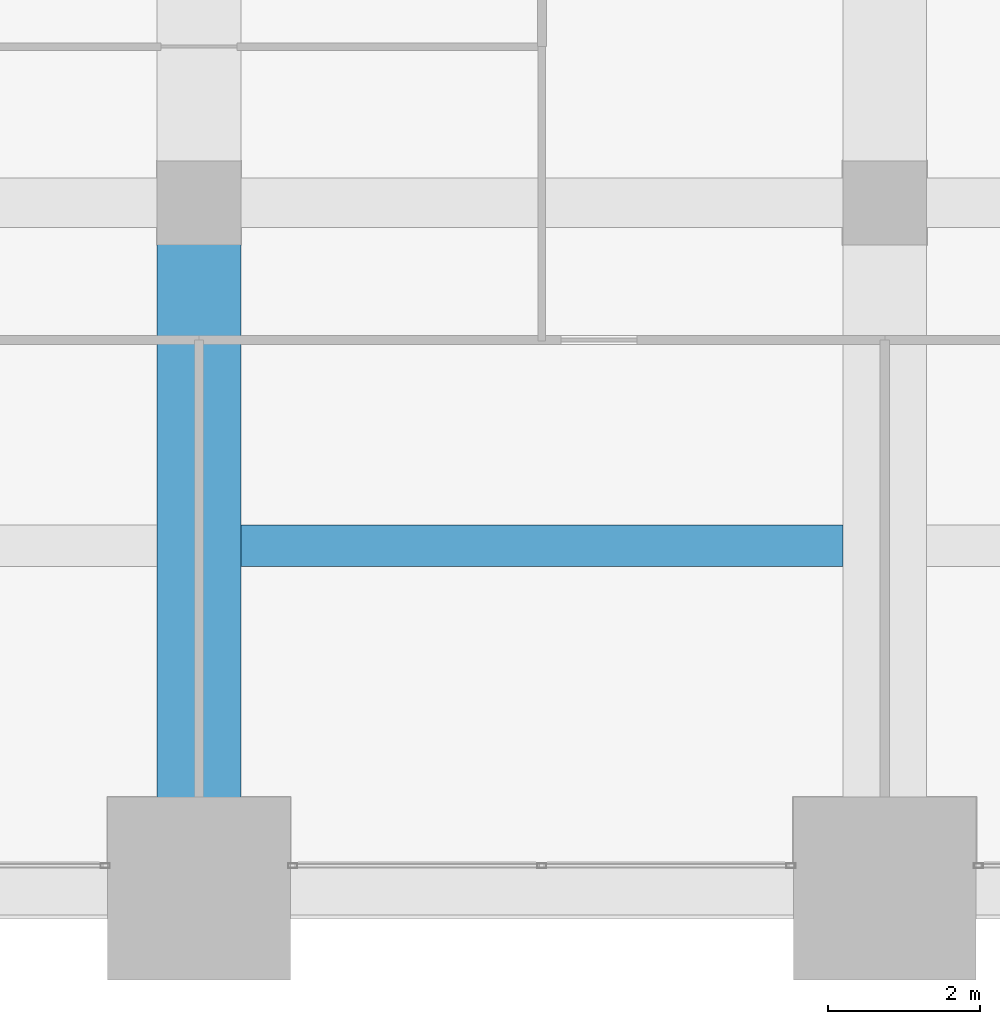
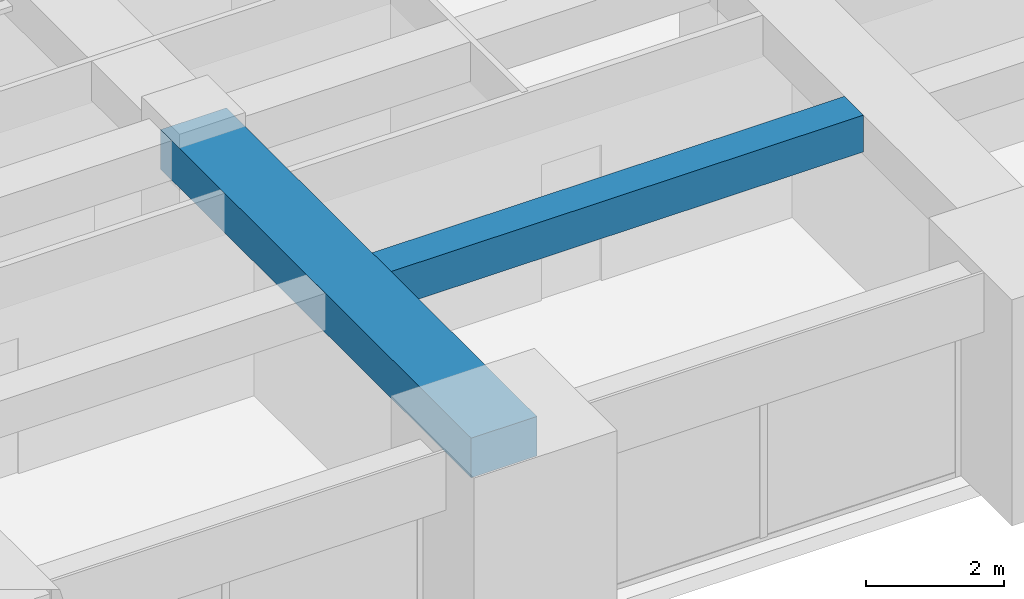
# One storey, part 10 of 45: 2 beams.
"""IFC4 building model written with IfcOpenShell, lengths in metres."""

import ifcopenshell
import ifcopenshell.guid

model = None  # the IFC model being written
_history = None  # IfcOwnerHistory: only IFC2X3 demands one
_inside = {}  # id of a spatial element -> (the spatial element, [elements in it])
_under = {}  # id of a project, library or spatial element -> (it, [spatial elements below it])
_declared = {}  # id of a project -> (the project, [libraries it declares])
_typed = {}  # id of a type object -> (the type object, [elements of that type])
_made_of = {}  # id of a material, layer set ... -> (it, [elements and type objects made of it])


def new_model(schema):
    """Start an empty IFC model of exactly this schema.

    Asked for "IFC4X3", IfcOpenShell would pick the latest addendum, in which some entities
    have other attributes; the version numbers below select the first issue.
    IFC2X3 requires an IfcOwnerHistory on every rooted entity: one is made here for all.
    """
    global model, _history
    if schema == "IFC4X3":
        model = ifcopenshell.file(schema_version=(4, 3, 0, 0))
    else:
        model = ifcopenshell.file(schema=schema)
    _inside.clear()
    _under.clear()
    _declared.clear()
    _typed.clear()
    _made_of.clear()
    _history = None
    if model.schema == "IFC2X3":
        org = make("IfcOrganization", Name="unknown")
        user = make(
            "IfcPersonAndOrganization",
            ThePerson=make("IfcPerson", FamilyName="unknown"),
            TheOrganization=org,
        )
        app = make(
            "IfcApplication",
            ApplicationDeveloper=org,
            Version="unknown",
            ApplicationFullName="unknown",
            ApplicationIdentifier="unknown",
        )
        _history = make(
            "IfcOwnerHistory",
            OwningUser=user,
            OwningApplication=app,
            ChangeAction="ADDED",
            CreationDate=0,
        )
    return model


def make(cls, **values):
    """One entity of the class cls with the attributes given. An attribute that is None is left unset."""
    return model.create_entity(
        cls, **{name: value for name, value in values.items() if value is not None}
    )


def rooted(cls, **values):
    """An entity with a GlobalId (a new one), such as an element, a storey or a relation."""
    return make(cls, GlobalId=ifcopenshell.guid.new(), OwnerHistory=_history, **values)


def si_unit(unit_type, name, prefix=None):
    """IfcSIUnit, for example si_unit("LENGTHUNIT", "METRE", prefix="MILLI")."""
    return make("IfcSIUnit", UnitType=unit_type, Prefix=prefix, Name=name)


def assignment(units):
    """IfcUnitAssignment: the units of a project."""
    return None if units is None else make("IfcUnitAssignment", Units=units)


def point(xyz):
    """IfcCartesianPoint."""
    return None if xyz is None else make("IfcCartesianPoint", Coordinates=xyz)


def direction(xyz):
    """IfcDirection."""
    return None if xyz is None else make("IfcDirection", DirectionRatios=xyz)


def frame(location, z_axis=None, x_axis=None):
    """IfcAxis2Placement3D, a coordinate frame: its origin and axes. An axis left out is left unset."""
    return make(
        "IfcAxis2Placement3D",
        Location=point(location),
        Axis=direction(z_axis),
        RefDirection=direction(x_axis),
    )


def frame_2d(location, x_axis=None):
    """IfcAxis2Placement2D, a coordinate frame in the plane: its origin and x axis."""
    return make(
        "IfcAxis2Placement2D", Location=point(location), RefDirection=direction(x_axis)
    )


def origin():
    """The frame at (0, 0, 0) with its axes left unset."""
    return frame((0.0, 0.0, 0.0))


def origin_2d():
    """The frame at (0, 0) in the plane with its x axis left unset."""
    return frame_2d((0.0, 0.0))


def place(relative_to, where):
    """IfcLocalPlacement: puts the frame where relative to a parent placement (None: the world)."""
    return make(
        "IfcLocalPlacement", PlacementRelTo=relative_to, RelativePlacement=where
    )


def context(
    kind, dimensions, precision=None, world=None, true_north=None, identifier=None
):
    """IfcGeometricRepresentationContext, for example the 3D "Model" context."""
    return make(
        "IfcGeometricRepresentationContext",
        ContextIdentifier=identifier,
        ContextType=kind,
        CoordinateSpaceDimension=dimensions,
        Precision=precision,
        WorldCoordinateSystem=world,
        TrueNorth=true_north,
    )


def subcontext(parent, identifier, kind, view, scale=None):
    """IfcGeometricRepresentationSubContext, for example "Body" below "Model"."""
    return make(
        "IfcGeometricRepresentationSubContext",
        ContextIdentifier=identifier,
        ContextType=kind,
        ParentContext=parent,
        TargetScale=scale,
        TargetView=view,
    )


def project(units=None, contexts=None):
    """IfcProject with its units and contexts."""
    return rooted(
        "IfcProject",
        Name="project",
        RepresentationContexts=contexts,
        UnitsInContext=assignment(units),
    )


def spatial(cls, under=None, at=None, **own):
    """A site, building, storey or space (cls), placed at a placement, below another one or the project."""
    s = rooted(cls, ObjectPlacement=at, **own)
    if under is not None:
        _under.setdefault(under.id(), (under, []))[1].append(s)
    return s


def profile(cls, at=None, kind="AREA", **sizes):
    """A parametric profile (cls). Its sizes go by their IFC names, for example OverallWidth=200.0."""
    return make(cls, ProfileType=kind, Position=at, **sizes)


def rectangle(**sizes):
    """IfcRectangleProfileDef."""
    return profile("IfcRectangleProfileDef", **sizes)


def extrude(swept, where, along, depth):
    """IfcExtrudedAreaSolid: the profile swept, set in the frame where, extruded along a direction by depth."""
    return make(
        "IfcExtrudedAreaSolid",
        SweptArea=swept,
        Position=where,
        ExtrudedDirection=direction(along),
        Depth=depth,
    )


def shape(context_of_items, identifier, shape_type, items):
    """IfcShapeRepresentation: the items that make up one representation, for example the "Body"."""
    return make(
        "IfcShapeRepresentation",
        ContextOfItems=context_of_items,
        RepresentationIdentifier=identifier,
        RepresentationType=shape_type,
        Items=items,
    )


def material(Name=None, Category=None):
    """IfcMaterial."""
    return make("IfcMaterial", Name=Name, Category=Category)


def material_profile(
    of_material, cross_section, Name=None, Category=None, Priority=None
):
    """IfcMaterialProfile: a cross section and its material."""
    return make(
        "IfcMaterialProfile",
        Name=Name,
        Material=of_material,
        Profile=cross_section,
        Priority=Priority,
        Category=Category,
    )


def profile_set(profiles, Name=None, composite=None):
    """IfcMaterialProfileSet."""
    return make(
        "IfcMaterialProfileSet",
        Name=Name,
        MaterialProfiles=profiles,
        CompositeProfile=composite,
    )


def made_of(thing, what):
    """Note that an element or type object is made of a material, layer set ...; save() writes the relation."""
    if what is not None:
        _made_of.setdefault(what.id(), (what, []))[1].append(thing)
    return thing


def type_object(cls, material=None, **own):
    """A type object (cls), such as IfcWallType, which elements share."""
    return made_of(rooted(cls, **own), material)


def element(
    cls,
    number,
    at=None,
    inside=None,
    cuts=None,
    type_object=None,
    material=None,
    context=None,
    identifier="Body",
    shape_type=None,
    held_by="IfcProductDefinitionShape",
    body=None,
    shapes=None,
    **own,
):
    """One element of the class cls, such as IfcWall. Its Tag is "e" and its number.

    at: its placement. inside: the storey or other place that contains it. cuts: it is an
    opening in that element (IfcRelVoidsElement). A single representation is given by context,
    identifier, shape_type and body (its items); several are given by shapes. held_by: the class
    of the entity that holds the representations. save() writes the other relations.
    """
    e = rooted(cls, Tag="e%d" % number, ObjectPlacement=at, **own)
    if body is not None:
        shapes = [shape(context, identifier, shape_type, body)]
    if shapes is not None:
        e.Representation = make(held_by, Representations=shapes)
    if inside is not None:
        _inside.setdefault(inside.id(), (inside, []))[1].append(e)
    if cuts is not None:
        rooted(
            "IfcRelVoidsElement", RelatingBuildingElement=cuts, RelatedOpeningElement=e
        )
    if type_object is not None:
        _typed.setdefault(type_object.id(), (type_object, []))[1].append(e)
    return made_of(e, material)


def aggregate(whole, parts):
    """IfcRelAggregates: a whole, such as a stair, and the parts it consists of."""
    return rooted("IfcRelAggregates", RelatingObject=whole, RelatedObjects=parts)


def save(model, path):
    """Write the relations noted so far, then the file.

    IfcRelAggregates (storeys below a building ...), IfcRelContainedInSpatialStructure (elements
    in a storey), IfcRelDefinesByType, IfcRelAssociatesMaterial and IfcRelDeclares: one each for
    every whole, place, type object, material and project.
    """
    for whole, parts in _under.values():
        aggregate(whole, parts)
    for where, things in _inside.values():
        rooted(
            "IfcRelContainedInSpatialStructure",
            RelatedElements=things,
            RelatingStructure=where,
        )
    for kind, things in _typed.values():
        rooted("IfcRelDefinesByType", RelatedObjects=things, RelatingType=kind)
    for what, things in _made_of.values():
        rooted("IfcRelAssociatesMaterial", RelatedObjects=things, RelatingMaterial=what)
    for by, libraries in _declared.values():
        rooted("IfcRelDeclares", RelatingContext=by, RelatedDefinitions=libraries)
    model.write(path)


model = new_model("IFC4")

# Units and contexts
model_context = context("Model", 3, precision=1e-05, world=origin(), true_north=direction((0.0, 1.0)))
body_context = subcontext(model_context, "Body", "Model", "MODEL_VIEW")
ifc_project = project(units=[si_unit("LENGTHUNIT", "METRE"), si_unit("AREAUNIT", "SQUARE_METRE"), si_unit("VOLUMEUNIT", "CUBIC_METRE"), si_unit("PLANEANGLEUNIT", "RADIAN"), si_unit("MASSUNIT", "GRAM", prefix="KILO")], contexts=[model_context])

# Site, building, storey
site_placement = place(None, origin())
site = spatial("IfcSite", under=ifc_project, at=site_placement, CompositionType="ELEMENT")
building_placement = place(site_placement, origin())
building = spatial("IfcBuilding", under=site, at=building_placement, Name="Zorevar Civic Tower", CompositionType="ELEMENT")
storey_placement = place(building_placement, frame((0.0, 0.0, 247.39990234375)))
storey = spatial("IfcBuildingStorey", under=building, at=storey_placement, Name="L60", CompositionType="ELEMENT", Elevation=247.39990234375)

# Beams
ifc_material_1 = material(Name="Concrete C50/60", Category="concrete")
ifc_material_profile_1 = material_profile(ifc_material_1, rectangle(XDim=1.10009765625, YDim=0.699951171875, at=origin_2d()), Name="RC 1100x700")
ifc_profile_set_1 = profile_set([ifc_material_profile_1], Name="Concrete C50/60")
beam_type_1 = type_object("IfcBeamType", Name="Beam RC 1100x700", PredefinedType="BEAM", material=ifc_profile_set_1)
beam_1_placement = place(storey_placement, frame((27.0, 0.0, 3.400146484375), z_axis=(0.0, 1.0, 0.0), x_axis=(-1.0, 0.0, 0.0)))
element("IfcBeam", 1, at=beam_1_placement, inside=storey, type_object=beam_type_1, Name="Girder L61", PredefinedType="BEAM", context=body_context, shape_type="SweptSolid", body=[
    extrude(rectangle(XDim=1.10009765625, YDim=0.699951171875, at=origin_2d()), origin(), (0.0, 0.0, 1.0), 9.0),
])
ifc_material_2 = material(Name="Concrete C50/60", Category="concrete")
ifc_material_profile_2 = material_profile(ifc_material_2, rectangle(XDim=0.550048828125, YDim=0.64990234375, at=origin_2d()), Name="RC 550x650")
ifc_profile_set_2 = profile_set([ifc_material_profile_2], Name="Concrete C50/60")
beam_type_2 = type_object("IfcBeamType", Name="Beam RC 550x650", PredefinedType="BEAM", material=ifc_profile_set_2)
beam_2_placement = place(storey_placement, frame((27.550048828125, 4.5, 3.425048828125), z_axis=(1.0, 0.0, 0.0), x_axis=(0.0, 1.0, 0.0)))
element("IfcBeam", 2, at=beam_2_placement, inside=storey, type_object=beam_type_2, Name="Secondary beam L61", PredefinedType="BEAM", context=body_context, shape_type="SweptSolid", body=[
    extrude(rectangle(XDim=0.550048828125, YDim=0.64990234375, at=origin_2d()), origin(), (0.0, 0.0, 1.0), 7.89990234375),
])

save(model, "model.ifc")
